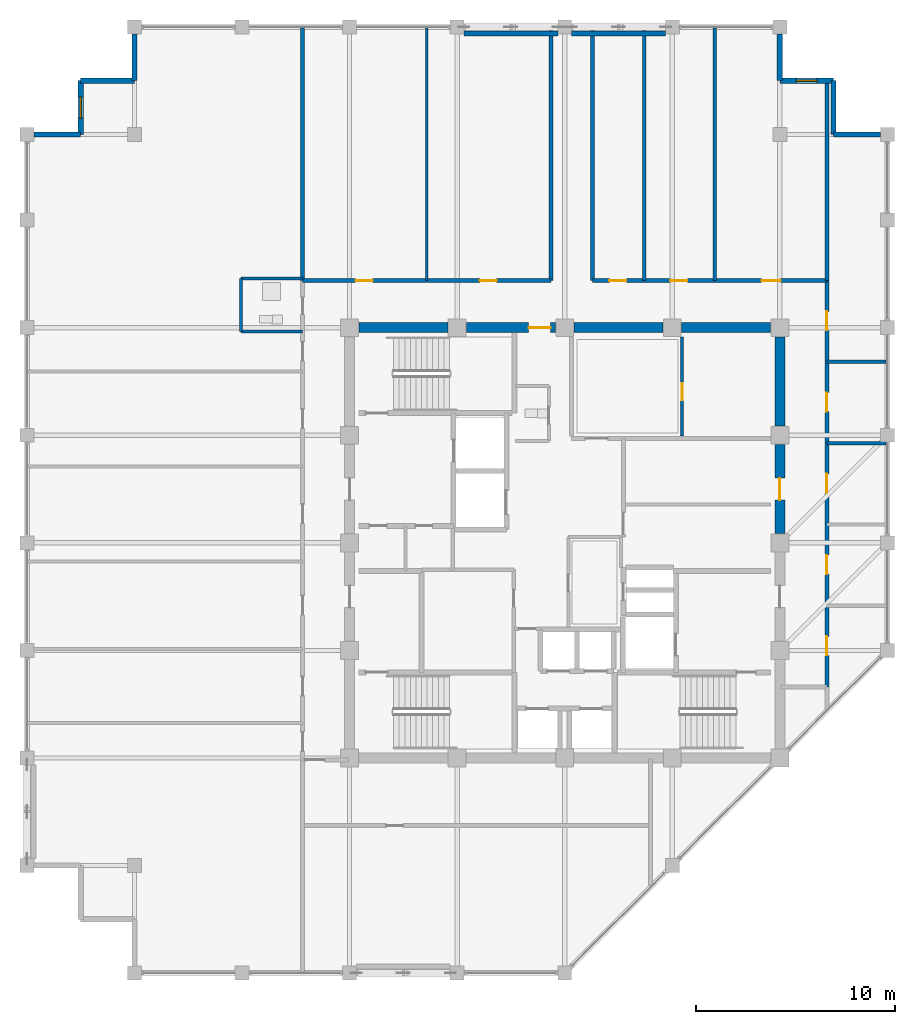
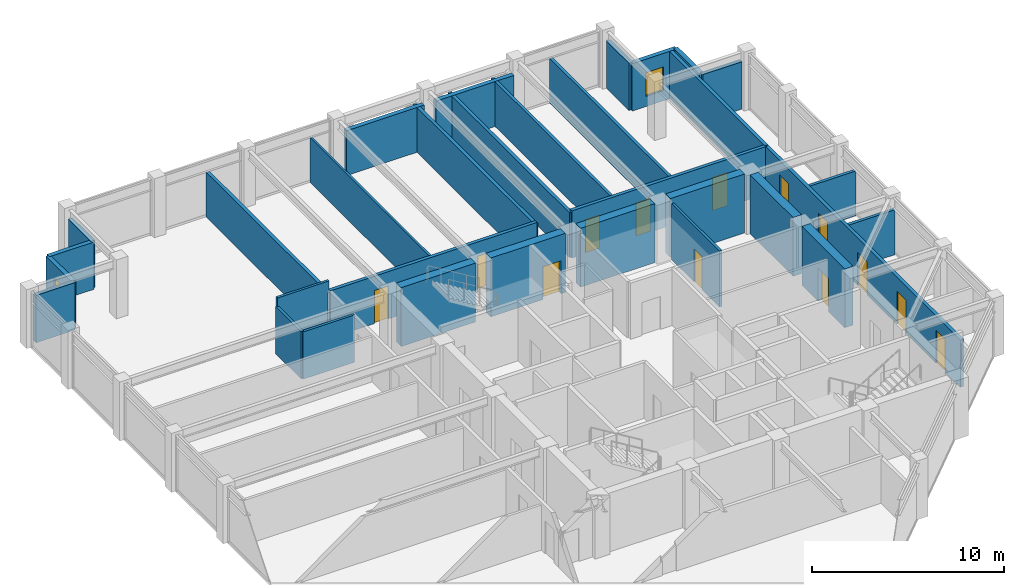
# One storey, part 28 of 31: 32 walls, 13 doors, 2 windows, 15 openings.
"""IFC4 building model written with IfcOpenShell, lengths in metres."""

from ifc_helpers import new_model, si_unit, direction, frame, frame_2d, origin, place, context, subcontext, project, spatial, rectangle, extrude, material, layer, layer_set, type_object, element, fill, save


model = new_model("IFC4")

# Units and contexts
model_context = context("Model", 3, precision=1e-05, world=origin(), true_north=direction((0.0, 1.0)))
body_context = subcontext(model_context, "Body", "Model", "MODEL_VIEW")
ifc_project = project(units=[si_unit("LENGTHUNIT", "METRE"), si_unit("AREAUNIT", "SQUARE_METRE"), si_unit("VOLUMEUNIT", "CUBIC_METRE"), si_unit("PLANEANGLEUNIT", "RADIAN"), si_unit("MASSUNIT", "GRAM", prefix="KILO")], contexts=[model_context])

# Site, building, storey
site_placement = place(None, origin())
site = spatial("IfcSite", under=ifc_project, at=site_placement, CompositionType="ELEMENT")
building_placement = place(site_placement, origin())
building = spatial("IfcBuilding", under=site, at=building_placement, Name="Surkhivell Harbour Commons", CompositionType="ELEMENT")
storey_placement = place(building_placement, frame((0.0, 0.0, 330.0)))
storey = spatial("IfcBuildingStorey", under=building, at=storey_placement, Name="L86", CompositionType="ELEMENT", Elevation=330.0)

# Wall
ifc_material_1 = material(Name="Concrete C50/60", Category="concrete")
ifc_layer_1 = layer(ifc_material_1, 0.5)
ifc_layer_set_1 = layer_set([ifc_layer_1], Name="Concrete C50/60")
wall_type_1 = type_object("IfcWallType", Name="WAL-CORE-500", PredefinedType="SHEAR", material=ifc_layer_set_1)
wall_1_placement = place(storey_placement, frame((-10.340087890625, 10.800048828125, 0.0), z_axis=(0.0, 0.0, 1.0), x_axis=(1.0, 0.0, 0.0)))
element("IfcWall", 1, at=wall_1_placement, inside=storey, type_object=wall_type_1, Name="L86 Core Shear Wall North 1", PredefinedType="SHEAR", context=body_context, shape_type="SweptSolid", body=[
    extrude(rectangle(XDim=4.47998046875, YDim=0.5, at=frame_2d((2.239990234375, 0.0))), origin(), (0.0, 0.0, 1.0), 3.75),
])

# Wall, opening, door
wall_2_placement = place(storey_placement, frame((-4.93994140625, 10.800048828125, 0.0), z_axis=(0.0, 0.0, 1.0), x_axis=(1.0, 0.0, 0.0)))
wall_2 = element("IfcWall", 2, at=wall_2_placement, inside=storey, type_object=wall_type_1, Name="L86 Core Shear Wall North 2", PredefinedType="SHEAR", context=body_context, shape_type="SweptSolid", body=[
    extrude(rectangle(XDim=4.47998046875, YDim=0.5, at=frame_2d((2.239990234375, 0.0))), origin(), (0.0, 0.0, 1.0), 3.75),
])
opening_1_placement = place(wall_2_placement, frame((3.1298828125, 0.0, 0.0)))
opening_1 = element("IfcOpeningElement", 3, at=opening_1_placement, cuts=wall_2, Name="Opening ID-2", PredefinedType="OPENING", context=body_context, shape_type="SweptSolid", body=[
    extrude(rectangle(XDim=1.10009765625, YDim=2.10009765625, at=frame_2d((0.550048828125, 1.050048828125))), frame((0.0, 0.260009765625, 0.0), z_axis=(0.0, -1.0, 0.0), x_axis=(1.0, 0.0, 0.0)), (0.0, 0.0, 1.0), 0.52001953125),
])
ifc_material_2 = material(Name="Hardwood-veneered fire-rated door leaf", Category="wood")
door_type_1 = type_object("IfcDoorType", Name="DOR-FD60-1100", OperationType="NOTDEFINED", PredefinedType="DOOR", material=ifc_material_2)
door_1_placement = place(opening_1_placement, origin())
door_1 = element("IfcDoor", 4, at=door_1_placement, inside=storey, type_object=door_type_1, Name="L86 Central Core Lift Hall North Corridor Door", OperationType="SINGLE_SWING_LEFT", OverallHeight=2.10009765625, OverallWidth=1.10009765625, PredefinedType="DOOR", context=body_context, shape_type="SweptSolid", body=[
    extrude(rectangle(XDim=1.10009765625, YDim=2.10009765625, at=frame_2d((0.550048828125, 1.050048828125))), frame((0.0, 0.02490234375, 0.0), z_axis=(0.0, -1.0, 0.0), x_axis=(1.0, 0.0, 0.0)), (0.0, 0.0, 1.0), 0.050048828125),
])
fill(opening_1, door_1)

# Wall
wall_3_placement = place(storey_placement, frame((0.4599609375, 10.800048828125, 0.0), z_axis=(0.0, 0.0, 1.0), x_axis=(1.0, 0.0, 0.0)))
element("IfcWall", 5, at=wall_3_placement, inside=storey, type_object=wall_type_1, Name="L86 Core Shear Wall North 3", PredefinedType="SHEAR", context=body_context, shape_type="SweptSolid", body=[
    extrude(rectangle(XDim=4.47998046875, YDim=0.5, at=frame_2d((2.239990234375, 0.0))), origin(), (0.0, 0.0, 1.0), 3.75),
])

# Wall, opening, door
wall_4_placement = place(storey_placement, frame((10.800048828125, 0.4599609375, 0.0), z_axis=(0.0, 0.0, 1.0), x_axis=(0.0, 1.0, 0.0)))
wall_4 = element("IfcWall", 6, at=wall_4_placement, inside=storey, type_object=wall_type_1, Name="L86 Core Shear Wall East 3", PredefinedType="SHEAR", context=body_context, shape_type="SweptSolid", body=[
    extrude(rectangle(XDim=4.47998046875, YDim=0.5, at=frame_2d((2.239990234375, 0.0))), origin(), (0.0, 0.0, 1.0), 3.75),
])
opening_2_placement = place(wall_4_placement, frame((1.68994140625, 0.0, 0.0)))
opening_2 = element("IfcOpeningElement", 7, at=opening_2_placement, cuts=wall_4, Name="Opening ID-2", PredefinedType="OPENING", context=body_context, shape_type="SweptSolid", body=[
    extrude(rectangle(XDim=1.10009765625, YDim=2.10009765625, at=frame_2d((0.550048828125, 1.050048828125))), frame((0.0, 0.260009765625, 0.0), z_axis=(0.0, -1.0, 0.0), x_axis=(1.0, 0.0, 0.0)), (0.0, 0.0, 1.0), 0.52001953125),
])
door_2_placement = place(opening_2_placement, origin())
door_2 = element("IfcDoor", 8, at=door_2_placement, inside=storey, type_object=door_type_1, Name="L86 Quiet Study B East Door", OperationType="SINGLE_SWING_RIGHT", OverallHeight=2.10009765625, OverallWidth=1.10009765625, PredefinedType="DOOR", context=body_context, shape_type="SweptSolid", body=[
    extrude(rectangle(XDim=1.10009765625, YDim=2.10009765625, at=frame_2d((0.550048828125, 1.050048828125))), frame((0.0, 0.02490234375, 0.0), z_axis=(0.0, -1.0, 0.0), x_axis=(1.0, 0.0, 0.0)), (0.0, 0.0, 1.0), 0.050048828125),
])
fill(opening_2, door_2)

# Walls
for number, where, z_axis, x_axis, name in (
    (9, (5.860107421875, 10.800048828125, 0.0), (0.0, 0.0, 1.0), (1.0, 0.0, 0.0), "L86 Core Shear Wall North 4"),
    (10, (10.800048828125, 5.860107421875, 0.0), (0.0, 0.0, 1.0), (0.0, 1.0, 0.0), "L86 Core Shear Wall East 4"),
):
    element("IfcWall", number, at=place(storey_placement, frame(where, z_axis=z_axis, x_axis=x_axis)), inside=storey, type_object=wall_type_1, Name=name, PredefinedType="SHEAR", context=body_context, shape_type="SweptSolid", body=[
        extrude(rectangle(XDim=4.47998046875, YDim=0.5, at=frame_2d((2.239990234375, 0.0))), origin(), (0.0, 0.0, 1.0), 3.75),
    ])
ifc_material_3 = material(Name="Pale-metal insulated precast concrete C45/55", Category="concrete")
ifc_layer_2 = layer(ifc_material_3, 0.260009765625)
ifc_layer_set_2 = layer_set([ifc_layer_2], Name="Pale-metal insulated precast concrete C45/55")
wall_type_2 = type_object("IfcWallType", Name="WAL-EXT-MTL260", PredefinedType="STANDARD", material=ifc_layer_set_2)
wall_5_placement = place(storey_placement, frame((15.85205078125, 20.5, 0.0), z_axis=(0.0, 0.0, 1.0), x_axis=(-1.0, 0.0, 0.0)))
element("IfcWall", 11, at=wall_5_placement, inside=storey, type_object=wall_type_2, Name="L86 Serrated Corner Facade Wall 03", PredefinedType="STANDARD", context=body_context, shape_type="SweptSolid", body=[
    extrude(rectangle(XDim=2.35205078125, YDim=0.260009765625, at=frame_2d((1.176025390625, 0.0))), origin(), (0.0, 0.0, 1.0), 3.012939453125),
])
wall_6_placement = place(storey_placement, frame((13.5, 20.5, 0.0), z_axis=(0.0, 0.0, 1.0), x_axis=(0.0, 1.0, 0.0)))
element("IfcWall", 12, at=wall_6_placement, inside=storey, type_object=wall_type_2, Name="L86 Serrated Corner Facade Wall 04", PredefinedType="STANDARD", context=body_context, shape_type="SweptSolid", body=[
    extrude(rectangle(XDim=2.699951171875, YDim=0.260009765625, at=frame_2d((1.35009765625, 0.0))), origin(), (0.0, 0.0, 1.0), 3.012939453125),
])

# Wall, opening, window
wall_7_placement = place(storey_placement, frame((13.5, 23.199951171875, 0.0), z_axis=(0.0, 0.0, 1.0), x_axis=(-1.0, 0.0, 0.0)))
wall_7 = element("IfcWall", 13, at=wall_7_placement, inside=storey, type_object=wall_type_2, Name="L86 Serrated Corner Facade Wall 05", PredefinedType="STANDARD", context=body_context, shape_type="SweptSolid", body=[
    extrude(rectangle(XDim=2.699951171875, YDim=0.260009765625, at=frame_2d((1.35009765625, 0.0))), origin(), (0.0, 0.0, 1.0), 3.012939453125),
])
opening_3_placement = place(wall_7_placement, frame((0.824951171875, 0.0, 0.64990234375)))
opening_3 = element("IfcOpeningElement", 14, at=opening_3_placement, cuts=wall_7, Name="Opening WN-11", PredefinedType="OPENING", context=body_context, shape_type="SweptSolid", body=[
    extrude(rectangle(XDim=1.050048828125, YDim=1.5, at=frame_2d((0.52490234375, 0.75))), frame((0.0, 0.139892578125, 0.0), z_axis=(0.0, -1.0, 0.0), x_axis=(1.0, 0.0, 0.0)), (0.0, 0.0, 1.0), 0.280029296875),
])
ifc_material_4 = material(Name="Thermal-break aluminium frame and double low-E glazing", Category="aluminium")
window_type = type_object("IfcWindowType", Name="WIN-SER-1050x1500", PartitioningType="SINGLE_PANEL", PredefinedType="WINDOW", material=ifc_material_4)
window_1_placement = place(opening_3_placement, origin())
window_1 = element("IfcWindow", 15, at=window_1_placement, inside=storey, type_object=window_type, Name="L86 Serrated Alcove Window 05", OverallHeight=1.5, OverallWidth=1.050048828125, PartitioningType="SINGLE_PANEL", PredefinedType="WINDOW", context=body_context, shape_type="SweptSolid", body=[
    extrude(rectangle(XDim=1.050048828125, YDim=1.5, at=frame_2d((0.52490234375, 0.75))), frame((0.0, 0.030029296875, 0.0), z_axis=(0.0, -1.0, 0.0), x_axis=(1.0, 0.0, 0.0)), (0.0, 0.0, 1.0), 0.06005859375),
])
fill(opening_3, window_1)

# Walls
wall_8_placement = place(storey_placement, frame((10.800048828125, 23.199951171875, 0.0), z_axis=(0.0, 0.0, 1.0), x_axis=(0.0, 1.0, 0.0)))
element("IfcWall", 16, at=wall_8_placement, inside=storey, type_object=wall_type_2, Name="L86 Serrated Corner Facade Wall 06", PredefinedType="STANDARD", context=body_context, shape_type="SweptSolid", body=[
    extrude(rectangle(XDim=2.35205078125, YDim=0.260009765625, at=frame_2d((1.176025390625, 0.0))), origin(), (0.0, 0.0, 1.0), 3.012939453125),
])
for number, where, z_axis, x_axis, name in (
    (17, (-0.347900390625, 25.56494140625, 0.0), (0.0, 0.0, 1.0), (-1.0, 0.0, 0.0), "L86 Braced-Bay Insulated Spandrel Backing N"),
    (18, (5.052001953125, 25.56494140625, 0.0), (0.0, 0.0, 1.0), (-1.0, 0.0, 0.0), "L86 Braced-Bay Insulated Spandrel Backing N2"),
):
    element("IfcWall", number, at=place(storey_placement, frame(where, z_axis=z_axis, x_axis=x_axis)), inside=storey, type_object=wall_type_2, Name=name, PredefinedType="STANDARD", context=body_context, shape_type="SweptSolid", body=[
        extrude(rectangle(XDim=4.7041015625, YDim=0.260009765625, at=frame_2d((2.35205078125, 0.0))), origin(), (0.0, 0.0, 1.0), 2.85693359375),
    ])
wall_9_placement = place(storey_placement, frame((-21.60009765625, 25.552001953125, 0.0), z_axis=(0.0, 0.0, 1.0), x_axis=(0.0, -1.0, 0.0)))
element("IfcWall", 19, at=wall_9_placement, inside=storey, type_object=wall_type_2, Name="L86 Serrated Corner Facade Wall 08", PredefinedType="STANDARD", context=body_context, shape_type="SweptSolid", body=[
    extrude(rectangle(XDim=2.35205078125, YDim=0.260009765625, at=frame_2d((1.176025390625, 0.0))), origin(), (0.0, 0.0, 1.0), 3.012939453125),
])
wall_10_placement = place(storey_placement, frame((-21.60009765625, 23.199951171875, 0.0), z_axis=(0.0, 0.0, 1.0), x_axis=(-1.0, 0.0, 0.0)))
element("IfcWall", 20, at=wall_10_placement, inside=storey, type_object=wall_type_2, Name="L86 Serrated Corner Facade Wall 09", PredefinedType="STANDARD", context=body_context, shape_type="SweptSolid", body=[
    extrude(rectangle(XDim=2.699951171875, YDim=0.260009765625, at=frame_2d((1.35009765625, 0.0))), origin(), (0.0, 0.0, 1.0), 3.012939453125),
])

# Wall, opening, window
wall_11_placement = place(storey_placement, frame((-24.300048828125, 23.199951171875, 0.0), z_axis=(0.0, 0.0, 1.0), x_axis=(0.0, -1.0, 0.0)))
wall_11 = element("IfcWall", 21, at=wall_11_placement, inside=storey, type_object=wall_type_2, Name="L86 Serrated Corner Facade Wall 10", PredefinedType="STANDARD", context=body_context, shape_type="SweptSolid", body=[
    extrude(rectangle(XDim=2.699951171875, YDim=0.260009765625, at=frame_2d((1.35009765625, 0.0))), origin(), (0.0, 0.0, 1.0), 3.012939453125),
])
opening_4_placement = place(wall_11_placement, frame((0.824951171875, 0.0, 0.64990234375)))
opening_4 = element("IfcOpeningElement", 22, at=opening_4_placement, cuts=wall_11, Name="Opening WN-11", PredefinedType="OPENING", context=body_context, shape_type="SweptSolid", body=[
    extrude(rectangle(XDim=1.050048828125, YDim=1.5, at=frame_2d((0.52490234375, 0.75))), frame((0.0, 0.139892578125, 0.0), z_axis=(0.0, -1.0, 0.0), x_axis=(1.0, 0.0, 0.0)), (0.0, 0.0, 1.0), 0.280029296875),
])
window_2_placement = place(opening_4_placement, origin())
window_2 = element("IfcWindow", 23, at=window_2_placement, inside=storey, type_object=window_type, Name="L86 Serrated Alcove Window 10", OverallHeight=1.5, OverallWidth=1.050048828125, PartitioningType="SINGLE_PANEL", PredefinedType="WINDOW", context=body_context, shape_type="SweptSolid", body=[
    extrude(rectangle(XDim=1.050048828125, YDim=1.5, at=frame_2d((0.52490234375, 0.75))), frame((0.0, 0.030029296875, 0.0), z_axis=(0.0, -1.0, 0.0), x_axis=(1.0, 0.0, 0.0)), (0.0, 0.0, 1.0), 0.06005859375),
])
fill(opening_4, window_2)

# Walls
wall_12_placement = place(storey_placement, frame((-24.300048828125, 20.5, 0.0), z_axis=(0.0, 0.0, 1.0), x_axis=(-1.0, 0.0, 0.0)))
element("IfcWall", 24, at=wall_12_placement, inside=storey, type_object=wall_type_2, Name="L86 Serrated Corner Facade Wall 11", PredefinedType="STANDARD", context=body_context, shape_type="SweptSolid", body=[
    extrude(rectangle(XDim=2.35205078125, YDim=0.260009765625, at=frame_2d((1.176025390625, 0.0))), origin(), (0.0, 0.0, 1.0), 3.012939453125),
])
ifc_material_5 = material(Name="Moisture-resistant acoustic stud partition", Category="other")
ifc_layer_3 = layer(ifc_material_5, 0.125)
ifc_layer_set_3 = layer_set([ifc_layer_3], Name="Moisture-resistant acoustic stud partition")
wall_type_3 = type_object("IfcWallType", Name="WAL-INT-125", PredefinedType="PARTITIONING", material=ifc_layer_set_3)
wall_13_placement = place(storey_placement, frame((-6.929931640625, 13.159912109375, 0.0), z_axis=(0.0, 0.0, 1.0), x_axis=(0.0, 1.0, 0.0)))
element("IfcWall", 25, at=wall_13_placement, inside=storey, type_object=wall_type_3, Name="L86 North-West Partition P1", PredefinedType="PARTITIONING", context=body_context, shape_type="SweptSolid", body=[
    extrude(rectangle(XDim=12.68017578125, YDim=0.125, at=frame_2d((6.340087890625, 0.0))), origin(), (0.0, 0.0, 1.0), 2.85693359375),
])

# Wall, opening, door
ifc_material_6 = material(Name="Twin-stud acoustic fireboard partition", Category="other")
ifc_layer_4 = layer(ifc_material_6, 0.14990234375)
ifc_layer_set_4 = layer_set([ifc_layer_4], Name="Twin-stud acoustic fireboard partition")
wall_type_4 = type_object("IfcWallType", Name="WAL-INT-150", PredefinedType="PARTITIONING", material=ifc_layer_set_4)
wall_14_placement = place(storey_placement, frame((5.89990234375, 5.360107421875, 0.0), z_axis=(0.0, 0.0, 1.0), x_axis=(0.0, 1.0, 0.0)))
wall_14 = element("IfcWall", 26, at=wall_14_placement, inside=storey, type_object=wall_type_4, Name="L86 Study Pod Wall 1", PredefinedType="PARTITIONING", context=body_context, shape_type="SweptSolid", body=[
    extrude(rectangle(XDim=4.97998046875, YDim=0.14990234375, at=frame_2d((2.489990234375, 0.0))), origin(), (0.0, 0.0, 1.0), 3.570068359375),
])
opening_5_placement = place(wall_14_placement, frame((1.800048828125, 0.0, 0.0)))
opening_5 = element("IfcOpeningElement", 27, at=opening_5_placement, cuts=wall_14, Name="Opening ID-6", PredefinedType="OPENING", context=body_context, shape_type="SweptSolid", body=[
    extrude(rectangle(XDim=0.85009765625, YDim=2.10009765625, at=frame_2d((0.425048828125, 1.050048828125))), frame((0.0, 0.0849609375, 0.0), z_axis=(0.0, -1.0, 0.0), x_axis=(1.0, 0.0, 0.0)), (0.0, 0.0, 1.0), 0.169921875),
])
door_type_2 = type_object("IfcDoorType", Name="DOR-FD30-850", OperationType="NOTDEFINED", PredefinedType="DOOR", material=ifc_material_2)
door_3_placement = place(opening_5_placement, origin())
door_3 = element("IfcDoor", 28, at=door_3_placement, inside=storey, type_object=door_type_2, Name="L86 Core Music Door", OperationType="SINGLE_SWING_RIGHT", OverallHeight=2.10009765625, OverallWidth=0.85009765625, PredefinedType="DOOR", context=body_context, shape_type="SweptSolid", body=[
    extrude(rectangle(XDim=0.85009765625, YDim=2.10009765625, at=frame_2d((0.425048828125, 1.050048828125))), frame((0.0, 0.02490234375, 0.0), z_axis=(0.0, -1.0, 0.0), x_axis=(1.0, 0.0, 0.0)), (0.0, 0.0, 1.0), 0.050048828125),
])
fill(opening_5, door_3)

# Walls
wall_15_placement = place(storey_placement, frame((-16.260009765625, 10.610107421875, 0.0), z_axis=(0.0, 0.0, 1.0), x_axis=(0.0, 1.0, 0.0)))
element("IfcWall", 29, at=wall_15_placement, inside=storey, type_object=wall_type_4, Name="L86 West Partition BTHB", PredefinedType="PARTITIONING", context=body_context, shape_type="SweptSolid", body=[
    extrude(rectangle(XDim=2.64990234375, YDim=0.14990234375, at=frame_2d((1.324951171875, 0.0))), origin(), (0.0, 0.0, 1.0), 3.012939453125),
])
wall_16_placement = place(storey_placement, frame((-16.260009765625, 13.260009765625, 0.0), z_axis=(0.0, 0.0, 1.0), x_axis=(1.0, 0.0, 0.0)))
element("IfcWall", 30, at=wall_16_placement, inside=storey, type_object=wall_type_4, Name="L86 West Partition BTHN", PredefinedType="PARTITIONING", context=body_context, shape_type="SweptSolid", body=[
    extrude(rectangle(XDim=3.10009765625, YDim=0.14990234375, at=frame_2d((1.550048828125, 0.0))), origin(), (0.0, 0.0, 1.0), 3.570068359375),
])
wall_17_placement = place(storey_placement, frame((-16.260009765625, 10.610107421875, 0.0), z_axis=(0.0, 0.0, 1.0), x_axis=(1.0, 0.0, 0.0)))
element("IfcWall", 31, at=wall_17_placement, inside=storey, type_object=wall_type_4, Name="L86 West Partition BTHS", PredefinedType="PARTITIONING", context=body_context, shape_type="SweptSolid", body=[
    extrude(rectangle(XDim=3.10009765625, YDim=0.14990234375, at=frame_2d((1.550048828125, 0.0))), origin(), (0.0, 0.0, 1.0), 3.012939453125),
])
ifc_material_7 = material(Name="High-density acoustic blockwork fire partition", Category="masonry")
ifc_layer_5 = layer(ifc_material_7, 0.175048828125)
ifc_layer_set_5 = layer_set([ifc_layer_5], Name="High-density acoustic blockwork fire partition")
wall_type_5 = type_object("IfcWallType", Name="WAL-INT-175", PredefinedType="PARTITIONING", material=ifc_layer_set_5)
for number, where, z_axis, x_axis, name in (
    (32, (13.159912109375, 5.0, 0.0), (0.0, 0.0, 1.0), (1.0, 0.0, 0.0), "L86 East Partition P3"),
    (33, (13.159912109375, 9.080078125, 0.0), (0.0, 0.0, 1.0), (1.0, 0.0, 0.0), "L86 East Partition P4"),
):
    element("IfcWall", number, at=place(storey_placement, frame(where, z_axis=z_axis, x_axis=x_axis)), inside=storey, type_object=wall_type_5, Name=name, PredefinedType="PARTITIONING", context=body_context, shape_type="SweptSolid", body=[
        extrude(rectangle(XDim=2.97998046875, YDim=0.175048828125, at=frame_2d((1.489990234375, 0.0))), origin(), (0.0, 0.0, 1.0), 2.85693359375),
    ])
for number, where, z_axis, x_axis, name in (
    (34, (3.989990234375, 13.159912109375, 0.0), (0.0, 0.0, 1.0), (0.0, 1.0, 0.0), "L86 North-East Partition P1"),
    (35, (7.52001953125, 13.159912109375, 0.0), (0.0, 0.0, 1.0), (0.0, 1.0, 0.0), "L86 North-East Partition P2"),
):
    element("IfcWall", number, at=place(storey_placement, frame(where, z_axis=z_axis, x_axis=x_axis)), inside=storey, type_object=wall_type_5, Name=name, PredefinedType="PARTITIONING", context=body_context, shape_type="SweptSolid", body=[
        extrude(rectangle(XDim=12.68017578125, YDim=0.175048828125, at=frame_2d((6.340087890625, 0.0))), origin(), (0.0, 0.0, 1.0), 2.85693359375),
    ])
ifc_material_8 = material(Name="Autoclaved aerated concrete blockwork and fire plaster", Category="masonry")
ifc_layer_6 = layer(ifc_material_8, 0.199951171875)
ifc_layer_set_6 = layer_set([ifc_layer_6], Name="Autoclaved aerated concrete blockwork and fire plaster")
wall_type_6 = type_object("IfcWallType", Name="WAL-INT-200", PredefinedType="PARTITIONING", material=ifc_layer_set_6)
wall_18_placement = place(storey_placement, frame((13.159912109375, 13.159912109375, 0.0), z_axis=(0.0, 0.0, 1.0), x_axis=(0.0, 1.0, 0.0)))
element("IfcWall", 36, at=wall_18_placement, inside=storey, type_object=wall_type_6, Name="L86 North-East Corner Wall", PredefinedType="PARTITIONING", context=body_context, shape_type="SweptSolid", body=[
    extrude(rectangle(XDim=9.97998046875, YDim=0.199951171875, at=frame_2d((4.989990234375, 0.0))), origin(), (0.0, 0.0, 1.0), 3.012939453125),
])
wall_19_placement = place(storey_placement, frame((-13.159912109375, 13.159912109375, 0.0), z_axis=(0.0, 0.0, 1.0), x_axis=(0.0, 1.0, 0.0)))
element("IfcWall", 37, at=wall_19_placement, inside=storey, type_object=wall_type_6, Name="L86 North-West Corner Wall", PredefinedType="PARTITIONING", context=body_context, shape_type="SweptSolid", body=[
    extrude(rectangle(XDim=12.68017578125, YDim=0.199951171875, at=frame_2d((6.340087890625, 0.0))), origin(), (0.0, 0.0, 1.0), 2.85693359375),
])

# Wall, openings, doors
wall_20_placement = place(storey_placement, frame((13.159912109375, -7.239990234375, 0.0), z_axis=(0.0, 0.0, 1.0), x_axis=(0.0, 1.0, 0.0)))
wall_20 = element("IfcWall", 38, at=wall_20_placement, inside=storey, type_object=wall_type_6, Name="L86 East Corridor Wall", PredefinedType="PARTITIONING", context=body_context, shape_type="SweptSolid", body=[
    extrude(rectangle(XDim=20.39990234375, YDim=0.199951171875, at=frame_2d((10.199951171875, 0.0))), origin(), (0.0, 0.0, 1.0), 3.012939453125),
])
opening_6_placement = place(wall_20_placement, frame((1.590087890625, 0.0, 0.0)))
opening_6 = element("IfcOpeningElement", 39, at=opening_6_placement, cuts=wall_20, Name="Opening ID-4", PredefinedType="OPENING", context=body_context, shape_type="SweptSolid", body=[
    extrude(rectangle(XDim=0.949951171875, YDim=2.10009765625, at=frame_2d((0.47509765625, 1.050048828125))), frame((0.0, 0.10986328125, 0.0), z_axis=(0.0, -1.0, 0.0), x_axis=(1.0, 0.0, 0.0)), (0.0, 0.0, 1.0), 0.219970703125),
])
opening_7_placement = place(wall_20_placement, frame((5.669921875, 0.0, 0.0)))
opening_7 = element("IfcOpeningElement", 40, at=opening_7_placement, cuts=wall_20, Name="Opening ID-4", PredefinedType="OPENING", context=body_context, shape_type="SweptSolid", body=[
    extrude(rectangle(XDim=0.949951171875, YDim=2.10009765625, at=frame_2d((0.47509765625, 1.050048828125))), frame((0.0, 0.10986328125, 0.0), z_axis=(0.0, -1.0, 0.0), x_axis=(1.0, 0.0, 0.0)), (0.0, 0.0, 1.0), 0.219970703125),
])
opening_8_placement = place(wall_20_placement, frame((9.75, 0.0, 0.0)))
opening_8 = element("IfcOpeningElement", 41, at=opening_8_placement, cuts=wall_20, Name="Opening ID-4", PredefinedType="OPENING", context=body_context, shape_type="SweptSolid", body=[
    extrude(rectangle(XDim=0.949951171875, YDim=2.10009765625, at=frame_2d((0.47509765625, 1.050048828125))), frame((0.0, 0.10986328125, 0.0), z_axis=(0.0, -1.0, 0.0), x_axis=(1.0, 0.0, 0.0)), (0.0, 0.0, 1.0), 0.219970703125),
])
opening_9_placement = place(wall_20_placement, frame((13.830078125, 0.0, 0.0)))
opening_9 = element("IfcOpeningElement", 42, at=opening_9_placement, cuts=wall_20, Name="Opening ID-4", PredefinedType="OPENING", context=body_context, shape_type="SweptSolid", body=[
    extrude(rectangle(XDim=0.949951171875, YDim=2.10009765625, at=frame_2d((0.47509765625, 1.050048828125))), frame((0.0, 0.10986328125, 0.0), z_axis=(0.0, -1.0, 0.0), x_axis=(1.0, 0.0, 0.0)), (0.0, 0.0, 1.0), 0.219970703125),
])
opening_10_placement = place(wall_20_placement, frame((17.909912109375, 0.0, 0.0)))
opening_10 = element("IfcOpeningElement", 43, at=opening_10_placement, cuts=wall_20, Name="Opening ID-4", PredefinedType="OPENING", context=body_context, shape_type="SweptSolid", body=[
    extrude(rectangle(XDim=0.949951171875, YDim=2.10009765625, at=frame_2d((0.47509765625, 1.050048828125))), frame((0.0, 0.10986328125, 0.0), z_axis=(0.0, -1.0, 0.0), x_axis=(1.0, 0.0, 0.0)), (0.0, 0.0, 1.0), 0.219970703125),
])
door_type_3 = type_object("IfcDoorType", Name="DOR-FD60-950", OperationType="NOTDEFINED", PredefinedType="DOOR", material=ifc_material_2)
door_4_placement = place(opening_6_placement, origin())
door_4 = element("IfcDoor", 44, at=door_4_placement, inside=storey, type_object=door_type_3, Name="L86 Co-Working Study Office Pod 1 East Door", OperationType="SINGLE_SWING_LEFT", OverallHeight=2.10009765625, OverallWidth=0.949951171875, PredefinedType="DOOR", context=body_context, shape_type="SweptSolid", body=[
    extrude(rectangle(XDim=0.949951171875, YDim=2.10009765625, at=frame_2d((0.47509765625, 1.050048828125))), frame((0.0, 0.02490234375, 0.0), z_axis=(0.0, -1.0, 0.0), x_axis=(1.0, 0.0, 0.0)), (0.0, 0.0, 1.0), 0.050048828125),
])
fill(opening_6, door_4)
door_5_placement = place(opening_7_placement, origin())
door_5 = element("IfcDoor", 45, at=door_5_placement, inside=storey, type_object=door_type_3, Name="L86 Academic Seminar Pod 2 East Door", OperationType="SINGLE_SWING_RIGHT", OverallHeight=2.10009765625, OverallWidth=0.949951171875, PredefinedType="DOOR", context=body_context, shape_type="SweptSolid", body=[
    extrude(rectangle(XDim=0.949951171875, YDim=2.10009765625, at=frame_2d((0.47509765625, 1.050048828125))), frame((0.0, 0.02490234375, 0.0), z_axis=(0.0, -1.0, 0.0), x_axis=(1.0, 0.0, 0.0)), (0.0, 0.0, 1.0), 0.050048828125),
])
fill(opening_7, door_5)
door_6_placement = place(opening_8_placement, origin())
door_6 = element("IfcDoor", 46, at=door_6_placement, inside=storey, type_object=door_type_3, Name="L86 Harbour Espresso Cafe Shop 3 East Door", OperationType="SINGLE_SWING_LEFT", OverallHeight=2.10009765625, OverallWidth=0.949951171875, PredefinedType="DOOR", context=body_context, shape_type="SweptSolid", body=[
    extrude(rectangle(XDim=0.949951171875, YDim=2.10009765625, at=frame_2d((0.47509765625, 1.050048828125))), frame((0.0, 0.02490234375, 0.0), z_axis=(0.0, -1.0, 0.0), x_axis=(1.0, 0.0, 0.0)), (0.0, 0.0, 1.0), 0.050048828125),
])
fill(opening_8, door_6)
door_7_placement = place(opening_9_placement, origin())
door_7 = element("IfcDoor", 47, at=door_7_placement, inside=storey, type_object=door_type_3, Name="L86 Zone Concierge Reception Foyer 4 East Door", OperationType="SINGLE_SWING_RIGHT", OverallHeight=2.10009765625, OverallWidth=0.949951171875, PredefinedType="DOOR", context=body_context, shape_type="SweptSolid", body=[
    extrude(rectangle(XDim=0.949951171875, YDim=2.10009765625, at=frame_2d((0.47509765625, 1.050048828125))), frame((0.0, 0.02490234375, 0.0), z_axis=(0.0, -1.0, 0.0), x_axis=(1.0, 0.0, 0.0)), (0.0, 0.0, 1.0), 0.050048828125),
])
fill(opening_9, door_7)
door_8_placement = place(opening_10_placement, origin())
door_8 = element("IfcDoor", 48, at=door_8_placement, inside=storey, type_object=door_type_3, Name="L86 Shared Communal Kitchen 5 East Door", OperationType="SINGLE_SWING_LEFT", OverallHeight=2.10009765625, OverallWidth=0.949951171875, PredefinedType="DOOR", context=body_context, shape_type="SweptSolid", body=[
    extrude(rectangle(XDim=0.949951171875, YDim=2.10009765625, at=frame_2d((0.47509765625, 1.050048828125))), frame((0.0, 0.02490234375, 0.0), z_axis=(0.0, -1.0, 0.0), x_axis=(1.0, 0.0, 0.0)), (0.0, 0.0, 1.0), 0.050048828125),
])
fill(opening_10, door_8)

wall_21_placement = place(storey_placement, frame((-13.159912109375, 13.159912109375, 0.0), z_axis=(0.0, 0.0, 1.0), x_axis=(1.0, 0.0, 0.0)))
wall_21 = element("IfcWall", 49, at=wall_21_placement, inside=storey, type_object=wall_type_6, Name="L86 North-West Corridor Wall", PredefinedType="PARTITIONING", context=body_context, shape_type="SweptSolid", body=[
    extrude(rectangle(XDim=12.4599609375, YDim=0.199951171875, at=frame_2d((6.22998046875, 0.0))), origin(), (0.0, 0.0, 1.0), 3.012939453125),
])
opening_11_placement = place(wall_21_placement, frame((2.6650390625, 0.0, 0.0)))
opening_11 = element("IfcOpeningElement", 50, at=opening_11_placement, cuts=wall_21, Name="Opening ID-6", PredefinedType="OPENING", context=body_context, shape_type="SweptSolid", body=[
    extrude(rectangle(XDim=0.85009765625, YDim=2.10009765625, at=frame_2d((0.425048828125, 1.050048828125))), frame((0.0, 0.10986328125, 0.0), z_axis=(0.0, -1.0, 0.0), x_axis=(1.0, 0.0, 0.0)), (0.0, 0.0, 1.0), 0.219970703125),
])
opening_12_placement = place(wall_21_placement, frame((8.89501953125, 0.0, 0.0)))
opening_12 = element("IfcOpeningElement", 51, at=opening_12_placement, cuts=wall_21, Name="Opening ID-6", PredefinedType="OPENING", context=body_context, shape_type="SweptSolid", body=[
    extrude(rectangle(XDim=0.85009765625, YDim=2.10009765625, at=frame_2d((0.425048828125, 1.050048828125))), frame((0.0, 0.10986328125, 0.0), z_axis=(0.0, -1.0, 0.0), x_axis=(1.0, 0.0, 0.0)), (0.0, 0.0, 1.0), 0.219970703125),
])
door_9_placement = place(opening_11_placement, origin())
door_9 = element("IfcDoor", 52, at=door_9_placement, inside=storey, type_object=door_type_2, Name="L86 Campus Co-Op Bookshop North-West Door", OperationType="SINGLE_SWING_RIGHT", OverallHeight=2.10009765625, OverallWidth=0.85009765625, PredefinedType="DOOR", context=body_context, shape_type="SweptSolid", body=[
    extrude(rectangle(XDim=0.85009765625, YDim=2.10009765625, at=frame_2d((0.425048828125, 1.050048828125))), frame((0.0, 0.02490234375, 0.0), z_axis=(0.0, -1.0, 0.0), x_axis=(1.0, 0.0, 0.0)), (0.0, 0.0, 1.0), 0.050048828125),
])
fill(opening_11, door_9)
door_10_placement = place(opening_12_placement, origin())
door_10 = element("IfcDoor", 53, at=door_10_placement, inside=storey, type_object=door_type_2, Name="L86 Harbour Espresso Cafe Shop North-West Door", OperationType="SINGLE_SWING_LEFT", OverallHeight=2.10009765625, OverallWidth=0.85009765625, PredefinedType="DOOR", context=body_context, shape_type="SweptSolid", body=[
    extrude(rectangle(XDim=0.85009765625, YDim=2.10009765625, at=frame_2d((0.425048828125, 1.050048828125))), frame((0.0, 0.02490234375, 0.0), z_axis=(0.0, -1.0, 0.0), x_axis=(1.0, 0.0, 0.0)), (0.0, 0.0, 1.0), 0.050048828125),
])
fill(opening_12, door_10)

wall_22_placement = place(storey_placement, frame((1.39990234375, 13.159912109375, 0.0), z_axis=(0.0, 0.0, 1.0), x_axis=(1.0, 0.0, 0.0)))
wall_22 = element("IfcWall", 54, at=wall_22_placement, inside=storey, type_object=wall_type_6, Name="L86 North-East Corridor Wall", PredefinedType="PARTITIONING", context=body_context, shape_type="SweptSolid", body=[
    extrude(rectangle(XDim=11.760009765625, YDim=0.199951171875, at=frame_2d((5.8798828125, 0.0))), origin(), (0.0, 0.0, 1.0), 3.012939453125),
])
opening_13_placement = place(wall_22_placement, frame((0.844970703125, 0.0, 0.0)))
opening_13 = element("IfcOpeningElement", 55, at=opening_13_placement, cuts=wall_22, Name="Opening ID-6", PredefinedType="OPENING", context=body_context, shape_type="SweptSolid", body=[
    extrude(rectangle(XDim=0.85009765625, YDim=2.10009765625, at=frame_2d((0.425048828125, 1.050048828125))), frame((0.0, 0.10986328125, 0.0), z_axis=(0.0, -1.0, 0.0), x_axis=(1.0, 0.0, 0.0)), (0.0, 0.0, 1.0), 0.219970703125),
])
opening_14_placement = place(wall_22_placement, frame((3.905029296875, 0.0, 0.0)))
opening_14 = element("IfcOpeningElement", 56, at=opening_14_placement, cuts=wall_22, Name="Opening ID-6", PredefinedType="OPENING", context=body_context, shape_type="SweptSolid", body=[
    extrude(rectangle(XDim=0.85009765625, YDim=2.10009765625, at=frame_2d((0.425048828125, 1.050048828125))), frame((0.0, 0.10986328125, 0.0), z_axis=(0.0, -1.0, 0.0), x_axis=(1.0, 0.0, 0.0)), (0.0, 0.0, 1.0), 0.219970703125),
])
opening_15_placement = place(wall_22_placement, frame((8.489990234375, 0.0, 0.0)))
opening_15 = element("IfcOpeningElement", 57, at=opening_15_placement, cuts=wall_22, Name="Opening ID-4", PredefinedType="OPENING", context=body_context, shape_type="SweptSolid", body=[
    extrude(rectangle(XDim=0.949951171875, YDim=2.10009765625, at=frame_2d((0.47509765625, 1.050048828125))), frame((0.0, 0.10986328125, 0.0), z_axis=(0.0, -1.0, 0.0), x_axis=(1.0, 0.0, 0.0)), (0.0, 0.0, 1.0), 0.219970703125),
])
door_11_placement = place(opening_13_placement, origin())
door_11 = element("IfcDoor", 58, at=door_11_placement, inside=storey, type_object=door_type_2, Name="L86 Co-Working Study Office 1 North-East Door", OperationType="SINGLE_SWING_RIGHT", OverallHeight=2.10009765625, OverallWidth=0.85009765625, PredefinedType="DOOR", context=body_context, shape_type="SweptSolid", body=[
    extrude(rectangle(XDim=0.85009765625, YDim=2.10009765625, at=frame_2d((0.425048828125, 1.050048828125))), frame((0.0, 0.02490234375, 0.0), z_axis=(0.0, -1.0, 0.0), x_axis=(1.0, 0.0, 0.0)), (0.0, 0.0, 1.0), 0.050048828125),
])
fill(opening_13, door_11)
door_12_placement = place(opening_14_placement, origin())
door_12 = element("IfcDoor", 59, at=door_12_placement, inside=storey, type_object=door_type_2, Name="L86 Co-Working Study Office 2 North-East Door", OperationType="SINGLE_SWING_LEFT", OverallHeight=2.10009765625, OverallWidth=0.85009765625, PredefinedType="DOOR", context=body_context, shape_type="SweptSolid", body=[
    extrude(rectangle(XDim=0.85009765625, YDim=2.10009765625, at=frame_2d((0.425048828125, 1.050048828125))), frame((0.0, 0.02490234375, 0.0), z_axis=(0.0, -1.0, 0.0), x_axis=(1.0, 0.0, 0.0)), (0.0, 0.0, 1.0), 0.050048828125),
])
fill(opening_14, door_12)
door_13_placement = place(opening_15_placement, origin())
door_13 = element("IfcDoor", 60, at=door_13_placement, inside=storey, type_object=door_type_3, Name="L86 Co-Working Study Office 3 North-East Door", OperationType="SINGLE_SWING_RIGHT", OverallHeight=2.10009765625, OverallWidth=0.949951171875, PredefinedType="DOOR", context=body_context, shape_type="SweptSolid", body=[
    extrude(rectangle(XDim=0.949951171875, YDim=2.10009765625, at=frame_2d((0.47509765625, 1.050048828125))), frame((0.0, 0.02490234375, 0.0), z_axis=(0.0, -1.0, 0.0), x_axis=(1.0, 0.0, 0.0)), (0.0, 0.0, 1.0), 0.050048828125),
])
fill(opening_15, door_13)

# Walls
for number, where, z_axis, x_axis, name in (
    (61, (1.39990234375, 13.159912109375, 0.0), (0.0, 0.0, 1.0), (0.0, 1.0, 0.0), "L86 North Spur East Wall"),
    (62, (-0.699951171875, 13.159912109375, 0.0), (0.0, 0.0, 1.0), (0.0, 1.0, 0.0), "L86 North Spur West Wall"),
):
    element("IfcWall", number, at=place(storey_placement, frame(where, z_axis=z_axis, x_axis=x_axis)), inside=storey, type_object=wall_type_6, Name=name, PredefinedType="PARTITIONING", context=body_context, shape_type="SweptSolid", body=[
        extrude(rectangle(XDim=12.68017578125, YDim=0.199951171875, at=frame_2d((6.340087890625, 0.0))), origin(), (0.0, 0.0, 1.0), 2.85693359375),
    ])

save(model, "model.ifc")
